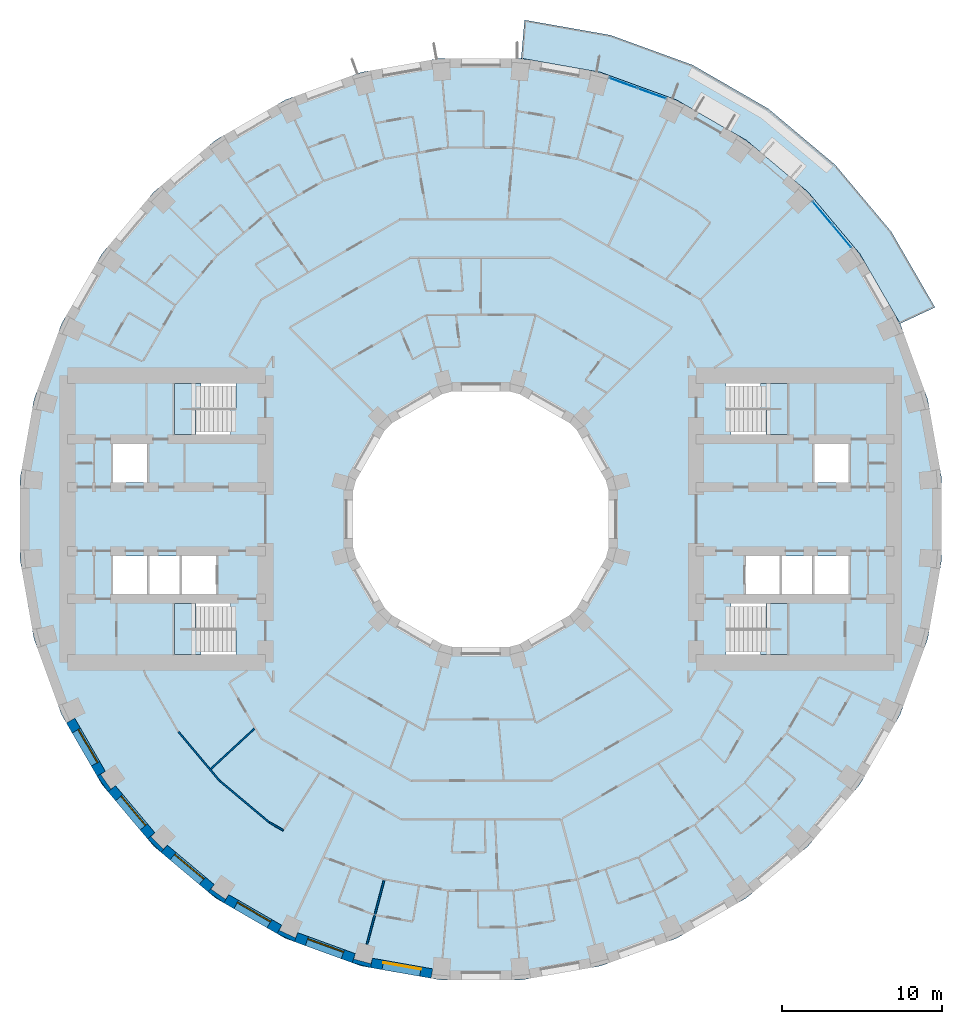
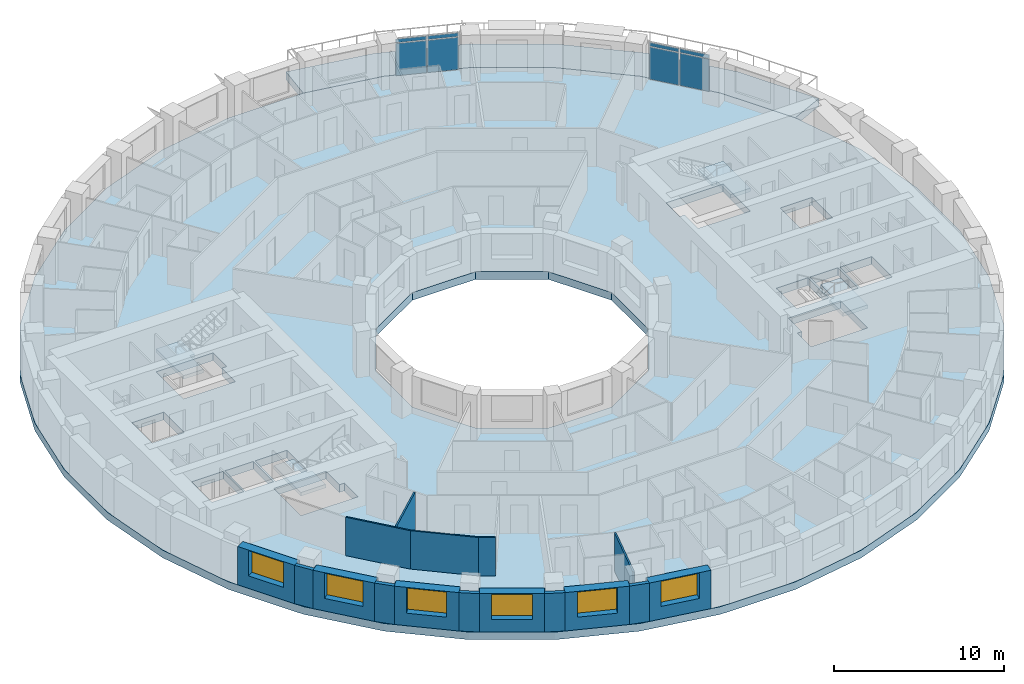
# One storey, part 3 of 15: 16 walls, 8 plates, 6 slabs, 6 windows, 6 openings, 6 elements without a shape of their own.
"""IFC4 building model written with IfcOpenShell, lengths in metres."""

from ifc_helpers import new_model, si_unit, direction, frame, frame_2d, origin, origin_2d, place, context, subcontext, project, spatial, polyline, rectangle, outline, extrude, material, layer, layer_set, type_object, element, fill, aggregate, save


model = new_model("IFC4")

# Units and contexts
model_context = context("Model", 3, precision=1e-05, world=origin(), true_north=direction((0.0, 1.0)))
body_context = subcontext(model_context, "Body", "Model", "MODEL_VIEW")
ifc_project = project(units=[si_unit("LENGTHUNIT", "METRE"), si_unit("AREAUNIT", "SQUARE_METRE"), si_unit("VOLUMEUNIT", "CUBIC_METRE"), si_unit("PLANEANGLEUNIT", "RADIAN"), si_unit("MASSUNIT", "GRAM", prefix="KILO")], contexts=[model_context])

# Site, building, storey
site_placement = place(None, origin())
site = spatial("IfcSite", under=ifc_project, at=site_placement, CompositionType="ELEMENT")
building_placement = place(site_placement, origin())
building = spatial("IfcBuilding", under=site, at=building_placement, Name="Saqina Gate Tower", CompositionType="ELEMENT")
storey_placement = place(building_placement, frame((0.0, 0.0, 72.5)))
storey = spatial("IfcBuildingStorey", under=building, at=storey_placement, Name="L20", CompositionType="ELEMENT", Elevation=72.5)

# Curtain wall, plates
ifc_material_1 = material(Name="Aluminium glazing", Category="aluminium")
ifc_layer_1 = layer(ifc_material_1, 0.159912109375)
ifc_layer_set_1 = layer_set([ifc_layer_1], Name="CWT-4")
curtain_wall_type = type_object("IfcCurtainWallType", Name="CWT-4", PredefinedType="NOTDEFINED", material=ifc_layer_set_1)
curtain_wall_1_placement = place(storey_placement, origin())
curtain_wall_1 = element("IfcCurtainWall", 1, at=curtain_wall_1_placement, inside=storey, type_object=curtain_wall_type, Name="Terrace lounge glazing facet 4", PredefinedType="NOTDEFINED")
ifc_material_2 = material(Name="Glass", Category="glass")
ifc_layer_2 = layer(ifc_material_2, 0.028076171875)
ifc_layer_set_2 = layer_set([ifc_layer_2], Name="CWT-4P")
plate_type = type_object("IfcPlateType", Name="CWT-4P", PredefinedType="CURTAIN_PANEL", material=ifc_layer_set_2)
plate_1_placement = place(storey_placement, frame((22.624267578125, 17.74853515625, 0.06005859375), z_axis=(0.0, 0.0, 1.0), x_axis=(-0.642791970033, 0.766040784332, 0.0)))
plate_1 = element("IfcPlate", 2, at=plate_1_placement, type_object=plate_type, Name="CW4-04 panel 1.1", PredefinedType="CURTAIN_PANEL", context=body_context, shape_type="SweptSolid", body=[
    extrude(rectangle(XDim=1.8330078125, YDim=0.028076171875, at=origin_2d()), origin(), (0.0, 0.0, 1.0), 2.31005859375),
])
plate_2_placement = place(storey_placement, frame((22.624267578125, 17.74853515625, 2.43017578125), z_axis=(0.0, 0.0, 1.0), x_axis=(-0.642791970033, 0.766040784332, 0.0)))
plate_2 = element("IfcPlate", 3, at=plate_2_placement, type_object=plate_type, Name="CW4-04 panel 1.2", PredefinedType="CURTAIN_PANEL", context=body_context, shape_type="SweptSolid", body=[
    extrude(rectangle(XDim=1.8330078125, YDim=0.028076171875, at=origin_2d()), origin(), (0.0, 0.0, 1.0), 0.260009765625),
])
plate_3_placement = place(storey_placement, frame((21.407470703125, 19.198486328125, 0.06005859375), z_axis=(0.0, 0.0, 1.0), x_axis=(-0.642791970033, 0.766040784332, 0.0)))
plate_3 = element("IfcPlate", 4, at=plate_3_placement, type_object=plate_type, Name="CW4-04 panel 2.1", PredefinedType="CURTAIN_PANEL", context=body_context, shape_type="SweptSolid", body=[
    extrude(rectangle(XDim=1.8330078125, YDim=0.028076171875, at=origin_2d()), origin(), (0.0, 0.0, 1.0), 2.31005859375),
])
plate_4_placement = place(storey_placement, frame((21.407470703125, 19.198486328125, 2.43017578125), z_axis=(0.0, 0.0, 1.0), x_axis=(-0.642791970033, 0.766040784332, 0.0)))
plate_4 = element("IfcPlate", 5, at=plate_4_placement, type_object=plate_type, Name="CW4-04 panel 2.2", PredefinedType="CURTAIN_PANEL", context=body_context, shape_type="SweptSolid", body=[
    extrude(rectangle(XDim=1.8330078125, YDim=0.028076171875, at=origin_2d()), origin(), (0.0, 0.0, 1.0), 0.260009765625),
])
aggregate(curtain_wall_1, [plate_1, plate_2, plate_3, plate_4])

curtain_wall_2_placement = place(storey_placement, origin())
curtain_wall_2 = element("IfcCurtainWall", 6, at=curtain_wall_2_placement, inside=storey, type_object=curtain_wall_type, Name="Terrace lounge glazing facet 7", PredefinedType="NOTDEFINED")
plate_5_placement = place(storey_placement, frame((10.718994140625, 26.682861328125, 0.06005859375), z_axis=(0.0, 0.0, 1.0), x_axis=(-0.939696968811, 0.34200819699, 0.0)))
plate_5 = element("IfcPlate", 7, at=plate_5_placement, type_object=plate_type, Name="CW4-07 panel 1.1", PredefinedType="CURTAIN_PANEL", context=body_context, shape_type="SweptSolid", body=[
    extrude(rectangle(XDim=1.8330078125, YDim=0.028076171875, at=origin_2d()), origin(), (0.0, 0.0, 1.0), 2.31005859375),
])
plate_6_placement = place(storey_placement, frame((10.718994140625, 26.682861328125, 2.43017578125), z_axis=(0.0, 0.0, 1.0), x_axis=(-0.939696968811, 0.34200819699, 0.0)))
plate_6 = element("IfcPlate", 8, at=plate_6_placement, type_object=plate_type, Name="CW4-07 panel 1.2", PredefinedType="CURTAIN_PANEL", context=body_context, shape_type="SweptSolid", body=[
    extrude(rectangle(XDim=1.8330078125, YDim=0.028076171875, at=origin_2d()), origin(), (0.0, 0.0, 1.0), 0.260009765625),
])
plate_7_placement = place(storey_placement, frame((8.940185546875, 27.330078125, 0.06005859375), z_axis=(0.0, 0.0, 1.0), x_axis=(-0.939696968811, 0.34200819699, 0.0)))
plate_7 = element("IfcPlate", 9, at=plate_7_placement, type_object=plate_type, Name="CW4-07 panel 2.1", PredefinedType="CURTAIN_PANEL", context=body_context, shape_type="SweptSolid", body=[
    extrude(rectangle(XDim=1.8330078125, YDim=0.028076171875, at=origin_2d()), origin(), (0.0, 0.0, 1.0), 2.31005859375),
])
plate_8_placement = place(storey_placement, frame((8.940185546875, 27.330078125, 2.43017578125), z_axis=(0.0, 0.0, 1.0), x_axis=(-0.939696968811, 0.34200819699, 0.0)))
plate_8 = element("IfcPlate", 10, at=plate_8_placement, type_object=plate_type, Name="CW4-07 panel 2.2", PredefinedType="CURTAIN_PANEL", context=body_context, shape_type="SweptSolid", body=[
    extrude(rectangle(XDim=1.8330078125, YDim=0.028076171875, at=origin_2d()), origin(), (0.0, 0.0, 1.0), 0.260009765625),
])
aggregate(curtain_wall_2, [plate_5, plate_6, plate_7, plate_8])

# Stair, slab
ifc_material_3 = material(Name="Concrete C40/50", Category="concrete")
stair_type = type_object("IfcStairType", Name="EXIT STAIR", PredefinedType="HALF_TURN_STAIR", material=ifc_material_3)
stair_1_placement = place(storey_placement, origin())
stair_1 = element("IfcStair", 11, at=stair_1_placement, inside=storey, type_object=stair_type, Name="EXIT STAIR 1", PredefinedType="HALF_TURN_STAIR")
ifc_material_4 = material(Name="Concrete C40/50", Category="concrete")
ifc_layer_3 = layer(ifc_material_4, 0.25)
ifc_layer_set_3 = layer_set([ifc_layer_3], Name="Concrete C40/50")
slab_type_1 = type_object("IfcSlabType", Name="EXIT STAIR LANDING", PredefinedType="LANDING", material=ifc_layer_set_3)
slab_1_placement = place(storey_placement, frame((0.0, 0.0, 1.39990234375)))
slab_1 = element("IfcSlab", 12, at=slab_1_placement, type_object=slab_type_1, Name="EXIT STAIR 1 LANDING 1", PredefinedType="LANDING", context=body_context, shape_type="SweptSolid", body=[
    extrude(outline(polyline([(19.219970703125, 8.5), (19.219970703125, 5.300048828125), (17.864990234375, 5.300048828125), (17.864990234375, 6.89990234375), (17.534423828125, 6.89990234375), (17.534423828125, 8.5), (17.864990234375, 8.5), (17.8701171875, 8.5), (19.219970703125, 8.5)])), origin(), (0.0, 0.0, 1.0), 0.25),
])
aggregate(stair_1, [slab_1])

stair_2_placement = place(storey_placement, origin())
stair_2 = element("IfcStair", 13, at=stair_2_placement, inside=storey, type_object=stair_type, Name="EXIT STAIR 2", PredefinedType="HALF_TURN_STAIR")
slab_2_placement = place(storey_placement, frame((0.0, 0.0, 1.39990234375)))
slab_2 = element("IfcSlab", 14, at=slab_2_placement, type_object=slab_type_1, Name="EXIT STAIR 2 LANDING 1", PredefinedType="LANDING", context=body_context, shape_type="SweptSolid", body=[
    extrude(outline(polyline([(17.534423828125, -8.5), (17.534423828125, -6.89990234375), (17.864990234375, -6.89990234375), (17.864990234375, -5.300048828125), (19.219970703125, -5.300048828125), (19.219970703125, -8.5), (17.8701171875, -8.5), (17.864990234375, -8.5), (17.534423828125, -8.5)])), origin(), (0.0, 0.0, 1.0), 0.25),
])
aggregate(stair_2, [slab_2])

stair_3_placement = place(storey_placement, origin())
stair_3 = element("IfcStair", 15, at=stair_3_placement, inside=storey, type_object=stair_type, Name="EXIT STAIR 3", PredefinedType="HALF_TURN_STAIR")
slab_3_placement = place(storey_placement, frame((0.0, 0.0, 1.39990234375)))
slab_3 = element("IfcSlab", 16, at=slab_3_placement, type_object=slab_type_1, Name="EXIT STAIR 3 LANDING 1", PredefinedType="LANDING", context=body_context, shape_type="SweptSolid", body=[
    extrude(outline(polyline([(-17.864990234375, 5.300048828125), (-19.219970703125, 5.300048828125), (-19.219970703125, 8.5), (-17.8701171875, 8.5), (-17.864990234375, 8.5), (-17.534423828125, 8.5), (-17.534423828125, 6.89990234375), (-17.864990234375, 6.89990234375), (-17.864990234375, 5.300048828125)])), origin(), (0.0, 0.0, 1.0), 0.25),
])
aggregate(stair_3, [slab_3])

stair_4_placement = place(storey_placement, origin())
stair_4 = element("IfcStair", 17, at=stair_4_placement, inside=storey, type_object=stair_type, Name="EXIT STAIR 4", PredefinedType="HALF_TURN_STAIR")
slab_4_placement = place(storey_placement, frame((0.0, 0.0, 1.39990234375)))
slab_4 = element("IfcSlab", 18, at=slab_4_placement, type_object=slab_type_1, Name="EXIT STAIR 4 LANDING 1", PredefinedType="LANDING", context=body_context, shape_type="SweptSolid", body=[
    extrude(outline(polyline([(-17.534423828125, -6.89990234375), (-17.534423828125, -8.5), (-17.864990234375, -8.5), (-17.8701171875, -8.5), (-19.219970703125, -8.5), (-19.219970703125, -5.300048828125), (-17.864990234375, -5.300048828125), (-17.864990234375, -6.89990234375), (-17.534423828125, -6.89990234375)])), origin(), (0.0, 0.0, 1.0), 0.25),
])
aggregate(stair_4, [slab_4])

# Slabs
ifc_material_5 = material(Name="Concrete C40/50", Category="concrete")
ifc_layer_4 = layer(ifc_material_5, 0.550048828125)
ifc_layer_set_4 = layer_set([ifc_layer_4], Name="Concrete C40/50")
slab_type_2 = type_object("IfcSlabType", Name="STR-POST-TENSIONED FLAT PLATE FLOOR-550", PredefinedType="FLOOR", material=ifc_layer_set_4)
slab_5_placement = place(storey_placement, frame((0.0, 0.0, -0.550048828125)))
element("IfcSlab", 19, at=slab_5_placement, inside=storey, type_object=slab_type_2, Name="L20-SLB01", PredefinedType="FLOOR", context=body_context, shape_type="SweptSolid", body=[
    extrude(outline(polyline([(28.011962890625, -7.505859375), (28.8896484375, -2.527587890625), (28.8896484375, 2.527587890625), (28.011962890625, 7.505859375), (26.282958984375, 12.255859375), (23.75537109375, 16.6337890625), (20.506103515625, 20.506103515625), (16.6337890625, 23.75537109375), (12.255859375, 26.282958984375), (7.505859375, 28.011962890625), (2.527587890625, 28.8896484375), (-2.527587890625, 28.8896484375), (-7.505859375, 28.011962890625), (-12.255859375, 26.282958984375), (-16.6337890625, 23.75537109375), (-20.506103515625, 20.506103515625), (-23.75537109375, 16.6337890625), (-26.282958984375, 12.255859375), (-28.011962890625, 7.505859375), (-28.8896484375, 2.527587890625), (-28.8896484375, -2.527587890625), (-28.011962890625, -7.505859375), (-26.282958984375, -12.255859375), (-23.75537109375, -16.6337890625), (-20.506103515625, -20.506103515625), (-16.6337890625, -23.75537109375), (-12.255859375, -26.282958984375), (-7.505859375, -28.011962890625), (-2.527587890625, -28.8896484375), (2.527587890625, -28.8896484375), (7.505859375, -28.011962890625), (12.255859375, -26.282958984375), (16.6337890625, -23.75537109375), (20.506103515625, -20.506103515625), (23.75537109375, -16.6337890625), (26.282958984375, -12.255859375), (28.011962890625, -7.505859375)]), holes=[polyline([(2.1435546875, 8.0), (5.8564453125, 5.8564453125), (8.0, 2.1435546875), (8.0, -2.1435546875), (5.8564453125, -5.8564453125), (2.1435546875, -8.0), (-2.1435546875, -8.0), (-5.8564453125, -5.8564453125), (-8.0, -2.1435546875), (-8.0, 2.1435546875), (-5.8564453125, 5.8564453125), (-2.1435546875, 8.0), (2.1435546875, 8.0)]), polyline([(-19.219970703125, -8.5), (-19.219970703125, -6.89990234375), (-19.219970703125, -5.300048828125), (-15.685546875, -5.300048828125), (-15.685546875, -6.89990234375), (-15.35498046875, -6.89990234375), (-15.35498046875, -8.5), (-19.219970703125, -8.5)]), polyline([(-20.89990234375, -2.300048828125), (-20.89990234375, -4.699951171875), (-23.06005859375, -4.699951171875), (-23.06005859375, -2.300048828125), (-20.89990234375, -2.300048828125)]), polyline([(-18.8701171875, -2.300048828125), (-18.8701171875, -4.699951171875), (-20.780029296875, -4.699951171875), (-20.780029296875, -2.300048828125), (-18.8701171875, -2.300048828125)]), polyline([(-16.590087890625, -2.300048828125), (-16.590087890625, -4.699951171875), (-18.75, -4.699951171875), (-18.75, -2.300048828125), (-16.590087890625, -2.300048828125)]), polyline([(-20.89990234375, 4.699951171875), (-20.89990234375, 2.300048828125), (-23.06005859375, 2.300048828125), (-23.06005859375, 4.699951171875), (-20.89990234375, 4.699951171875)]), polyline([(-19.219970703125, 6.89990234375), (-19.219970703125, 8.5), (-15.35498046875, 8.5), (-15.35498046875, 6.89990234375), (-15.685546875, 6.89990234375), (-15.685546875, 5.300048828125), (-19.219970703125, 5.300048828125), (-19.219970703125, 6.89990234375)]), polyline([(15.35498046875, -6.89990234375), (15.685546875, -6.89990234375), (15.685546875, -5.300048828125), (19.219970703125, -5.300048828125), (19.219970703125, -6.89990234375), (19.219970703125, -8.5), (15.35498046875, -8.5), (15.35498046875, -6.89990234375)]), polyline([(18.75, -2.300048828125), (18.75, -4.699951171875), (16.590087890625, -4.699951171875), (16.590087890625, -2.300048828125), (18.75, -2.300048828125)]), polyline([(20.780029296875, -2.300048828125), (20.780029296875, -4.699951171875), (18.8701171875, -4.699951171875), (18.8701171875, -2.300048828125), (20.780029296875, -2.300048828125)]), polyline([(23.06005859375, -2.300048828125), (23.06005859375, -4.699951171875), (20.89990234375, -4.699951171875), (20.89990234375, -2.300048828125), (23.06005859375, -2.300048828125)]), polyline([(23.06005859375, 4.699951171875), (23.06005859375, 2.300048828125), (20.89990234375, 2.300048828125), (20.89990234375, 4.699951171875), (23.06005859375, 4.699951171875)]), polyline([(15.685546875, 6.89990234375), (15.35498046875, 6.89990234375), (15.35498046875, 8.5), (19.219970703125, 8.5), (19.219970703125, 6.89990234375), (19.219970703125, 5.300048828125), (15.685546875, 5.300048828125), (15.685546875, 6.89990234375)])]), origin(), (0.0, 0.0, 1.0), 0.550048828125),
])
ifc_material_6 = material(Name="Concrete C40/50", Category="concrete")
ifc_layer_5 = layer(ifc_material_6, 0.550048828125)
ifc_layer_set_5 = layer_set([ifc_layer_5], Name="Concrete C40/50")
slab_type_3 = type_object("IfcSlabType", Name="STR-POST-TENSIONED FLAT PLATE TERRACE-550", PredefinedType="FLOOR", material=ifc_layer_set_5)
slab_6_placement = place(storey_placement, frame((0.0, 0.0, -0.550048828125)))
element("IfcSlab", 20, at=slab_6_placement, inside=storey, type_object=slab_type_3, Name="L20-TRS01", PredefinedType="FLOOR", context=body_context, shape_type="SweptSolid", body=[
    extrude(outline(polyline([(26.282958984375, 12.255859375), (23.75537109375, 16.6337890625), (20.506103515625, 20.506103515625), (16.6337890625, 23.75537109375), (12.255859375, 26.282958984375), (7.505859375, 28.011962890625), (2.527587890625, 28.8896484375), (2.737548828125, 31.28955078125), (8.12939453125, 30.3388671875), (13.274169921875, 28.46630859375), (18.015625, 25.72900390625), (22.209716796875, 22.209716796875), (25.72900390625, 18.015625), (28.46630859375, 13.274169921875), (26.282958984375, 12.255859375)])), origin(), (0.0, 0.0, 1.0), 0.550048828125),
])

# Walls
ifc_material_7 = material(Name="Brick masonry (red)", Category="masonry")
wall_type_1 = type_object("IfcWallType", Name="BRICK PIER COPING RED", PredefinedType="SOLIDWALL", material=ifc_material_7)
wall_1_placement = place(storey_placement, origin())
element("IfcWall", 21, at=wall_1_placement, inside=storey, type_object=wall_type_1, Name="Pier cap L20 column 22", PredefinedType="SOLIDWALL", context=body_context, shape_type="SweptSolid", body=[
    extrude(outline(polyline([(-24.0576171875, -16.110107421875), (-23.36669921875, -17.096923828125), (-22.9072265625, -16.711181640625), (-23.194091796875, -16.912109375), (-23.8251953125, -16.010986328125), (-23.5380859375, -15.81005859375), (-24.0576171875, -16.110107421875)])), origin(), (0.0, 0.0, 1.0), 2.75),
])
wall_2_placement = place(storey_placement, origin())
element("IfcWall", 22, at=wall_2_placement, inside=storey, type_object=wall_type_1, Name="Pier cap L20 column 23", PredefinedType="SOLIDWALL", context=body_context, shape_type="SweptSolid", body=[
    extrude(outline(polyline([(-20.04296875, -20.894775390625), (-19.6572265625, -20.43505859375), (-19.905029296875, -20.682861328125), (-20.682861328125, -19.905029296875), (-20.43505859375, -19.6572265625), (-20.894775390625, -20.04296875), (-20.04296875, -20.894775390625)])), origin(), (0.0, 0.0, 1.0), 2.75),
])
wall_3_placement = place(storey_placement, origin())
element("IfcWall", 23, at=wall_3_placement, inside=storey, type_object=wall_type_1, Name="Pier cap L20 column 24", PredefinedType="SOLIDWALL", context=body_context, shape_type="SweptSolid", body=[
    extrude(outline(polyline([(-17.096923828125, -23.36669921875), (-16.110107421875, -24.0576171875), (-15.81005859375, -23.5380859375), (-16.010986328125, -23.8251953125), (-16.912109375, -23.194091796875), (-16.711181640625, -22.9072265625), (-17.096923828125, -23.36669921875)])), origin(), (0.0, 0.0, 1.0), 2.75),
])
wall_4_placement = place(storey_placement, origin())
element("IfcWall", 24, at=wall_4_placement, inside=storey, type_object=wall_type_1, Name="Pier cap L20 column 25", PredefinedType="SOLIDWALL", context=body_context, shape_type="SweptSolid", body=[
    extrude(outline(polyline([(-11.687744140625, -26.48974609375), (-11.482666015625, -25.92578125), (-11.630615234375, -26.243408203125), (-12.627685546875, -25.778564453125), (-12.4794921875, -25.4609375), (-12.779541015625, -25.980712890625), (-11.687744140625, -26.48974609375)])), origin(), (0.0, 0.0, 1.0), 2.75),
])
wall_5_placement = place(storey_placement, origin())
element("IfcWall", 25, at=wall_5_placement, inside=storey, type_object=wall_type_1, Name="Pier cap L20 column 26", PredefinedType="SOLIDWALL", context=body_context, shape_type="SweptSolid", body=[
    extrude(outline(polyline([(-6.910400390625, -28.11669921875), (-6.80615234375, -27.52587890625), (-6.896728515625, -27.864501953125), (-7.95947265625, -27.57958984375), (-7.86865234375, -27.2412109375), (-8.073974609375, -27.80517578125), (-6.910400390625, -28.11669921875)])), origin(), (0.0, 0.0, 1.0), 2.75),
])

# Wall, opening, window
ifc_material_8 = material(Name="Brick masonry (red)", Category="masonry")
ifc_layer_6 = layer(ifc_material_8, 0.60009765625)
ifc_layer_set_6 = layer_set([ifc_layer_6], Name="FW-BRICK-RED")
wall_type_2 = type_object("IfcWallType", Name="FW-BRICK-RED", PredefinedType="SOLIDWALL", material=ifc_layer_set_6)
wall_6_placement = place(storey_placement, frame((-25.720703125, -12.629638671875, 0.0), z_axis=(0.0, 0.0, 1.0), x_axis=(0.499989888488, -0.86603124159, 0.0)))
wall_6 = element("IfcWall", 26, at=wall_6_placement, inside=storey, type_object=wall_type_2, Name="Facade wall L20 facet 21", PredefinedType="SOLIDWALL", context=body_context, shape_type="SweptSolid", body=[
    extrude(rectangle(XDim=3.845703125, YDim=0.60009765625, at=frame_2d((1.9228515625, 0.0))), origin(), (0.0, 0.0, 1.0), 2.75),
])
opening_1_placement = place(wall_6_placement, frame((0.722900390625, 0.0, 0.89990234375)))
opening_1 = element("IfcOpeningElement", 27, at=opening_1_placement, cuts=wall_6, Name="Opening G05-W10", PredefinedType="OPENING", context=body_context, shape_type="SweptSolid", body=[
    extrude(rectangle(XDim=2.39990234375, YDim=1.800048828125, at=frame_2d((1.199951171875, 0.89990234375))), frame((0.0, 0.31201171875, 0.0), z_axis=(0.0, -1.0, 0.0), x_axis=(1.0, 0.0, 0.0)), (0.0, 0.0, 1.0), 0.6240234375),
])
ifc_material_9 = material(Name="Aluminium glazing", Category="aluminium")
window_type = type_object("IfcWindowType", Name="WN-A", PartitioningType="SINGLE_PANEL", PredefinedType="WINDOW", material=ifc_material_9)
window_1_placement = place(opening_1_placement, origin())
window_1 = element("IfcWindow", 28, at=window_1_placement, inside=storey, type_object=window_type, Name="Window L20 facet 21", OverallHeight=1.800048828125, OverallWidth=2.39990234375, PartitioningType="SINGLE_PANEL", PredefinedType="WINDOW", context=body_context, shape_type="SweptSolid", body=[
    extrude(rectangle(XDim=2.39990234375, YDim=1.800048828125, at=frame_2d((1.199951171875, 0.89990234375))), frame((0.0, 0.179931640625, 0.0), z_axis=(0.0, -1.0, 0.0), x_axis=(1.0, 0.0, 0.0)), (0.0, 0.0, 1.0), 0.06005859375),
])
fill(opening_1, window_1)

wall_7_placement = place(storey_placement, frame((-23.136962890625, -16.904052734375, 0.0), z_axis=(0.0, 0.0, 1.0), x_axis=(0.642809392687, -0.766026164483, 0.0)))
wall_7 = element("IfcWall", 29, at=wall_7_placement, inside=storey, type_object=wall_type_2, Name="Facade wall L20 facet 22", PredefinedType="SOLIDWALL", context=body_context, shape_type="SweptSolid", body=[
    extrude(rectangle(XDim=3.845947265625, YDim=0.60009765625, at=frame_2d((1.9228515625, 0.0))), origin(), (0.0, 0.0, 1.0), 2.75),
])
opening_2_placement = place(wall_7_placement, frame((0.722900390625, 0.0, 0.89990234375)))
opening_2 = element("IfcOpeningElement", 30, at=opening_2_placement, cuts=wall_7, Name="Opening G05-W11", PredefinedType="OPENING", context=body_context, shape_type="SweptSolid", body=[
    extrude(rectangle(XDim=2.39990234375, YDim=1.800048828125, at=frame_2d((1.199951171875, 0.89990234375))), frame((0.0, 0.31201171875, 0.0), z_axis=(0.0, -1.0, 0.0), x_axis=(1.0, 0.0, 0.0)), (0.0, 0.0, 1.0), 0.6240234375),
])
window_2_placement = place(opening_2_placement, origin())
window_2 = element("IfcWindow", 31, at=window_2_placement, inside=storey, type_object=window_type, Name="Window L20 facet 22", OverallHeight=1.800048828125, OverallWidth=2.39990234375, PartitioningType="SINGLE_PANEL", PredefinedType="WINDOW", context=body_context, shape_type="SweptSolid", body=[
    extrude(rectangle(XDim=2.39990234375, YDim=1.800048828125, at=frame_2d((1.199951171875, 0.89990234375))), frame((0.0, 0.179931640625, 0.0), z_axis=(0.0, -1.0, 0.0), x_axis=(1.0, 0.0, 0.0)), (0.0, 0.0, 1.0), 0.06005859375),
])
fill(opening_2, window_2)

wall_8_placement = place(storey_placement, frame((-19.85009765625, -20.664794921875, 0.0), z_axis=(0.0, 0.0, 1.0), x_axis=(0.766026164483, -0.642809392687, 0.0)))
wall_8 = element("IfcWall", 32, at=wall_8_placement, inside=storey, type_object=wall_type_2, Name="Facade wall L20 facet 23", PredefinedType="SOLIDWALL", context=body_context, shape_type="SweptSolid", body=[
    extrude(rectangle(XDim=3.845947265625, YDim=0.60009765625, at=frame_2d((1.9228515625, 0.0))), origin(), (0.0, 0.0, 1.0), 2.75),
])
opening_3_placement = place(wall_8_placement, frame((0.722900390625, 0.0, 0.89990234375)))
opening_3 = element("IfcOpeningElement", 33, at=opening_3_placement, cuts=wall_8, Name="Opening G05-W12", PredefinedType="OPENING", context=body_context, shape_type="SweptSolid", body=[
    extrude(rectangle(XDim=2.39990234375, YDim=1.800048828125, at=frame_2d((1.199951171875, 0.89990234375))), frame((0.0, 0.31201171875, 0.0), z_axis=(0.0, -1.0, 0.0), x_axis=(1.0, 0.0, 0.0)), (0.0, 0.0, 1.0), 0.6240234375),
])
window_3_placement = place(opening_3_placement, origin())
window_3 = element("IfcWindow", 34, at=window_3_placement, inside=storey, type_object=window_type, Name="Window L20 facet 23", OverallHeight=1.800048828125, OverallWidth=2.39990234375, PartitioningType="SINGLE_PANEL", PredefinedType="WINDOW", context=body_context, shape_type="SweptSolid", body=[
    extrude(rectangle(XDim=2.39990234375, YDim=1.800048828125, at=frame_2d((1.199951171875, 0.89990234375))), frame((0.0, 0.179931640625, 0.0), z_axis=(0.0, -1.0, 0.0), x_axis=(1.0, 0.0, 0.0)), (0.0, 0.0, 1.0), 0.06005859375),
])
fill(opening_3, window_3)

wall_9_placement = place(storey_placement, frame((-15.960205078125, -23.7978515625, 0.0), z_axis=(0.0, 0.0, 1.0), x_axis=(0.86603124159, -0.499989888488, 0.0)))
wall_9 = element("IfcWall", 35, at=wall_9_placement, inside=storey, type_object=wall_type_2, Name="Facade wall L20 facet 24", PredefinedType="SOLIDWALL", context=body_context, shape_type="SweptSolid", body=[
    extrude(rectangle(XDim=3.845703125, YDim=0.60009765625, at=frame_2d((1.9228515625, 0.0))), origin(), (0.0, 0.0, 1.0), 2.75),
])
opening_4_placement = place(wall_9_placement, frame((0.722900390625, 0.0, 0.89990234375)))
opening_4 = element("IfcOpeningElement", 36, at=opening_4_placement, cuts=wall_9, Name="Opening G05-W13", PredefinedType="OPENING", context=body_context, shape_type="SweptSolid", body=[
    extrude(rectangle(XDim=2.39990234375, YDim=1.800048828125, at=frame_2d((1.199951171875, 0.89990234375))), frame((0.0, 0.31201171875, 0.0), z_axis=(0.0, -1.0, 0.0), x_axis=(1.0, 0.0, 0.0)), (0.0, 0.0, 1.0), 0.6240234375),
])
window_4_placement = place(opening_4_placement, origin())
window_4 = element("IfcWindow", 37, at=window_4_placement, inside=storey, type_object=window_type, Name="Window L20 facet 24", OverallHeight=1.800048828125, OverallWidth=2.39990234375, PartitioningType="SINGLE_PANEL", PredefinedType="WINDOW", context=body_context, shape_type="SweptSolid", body=[
    extrude(rectangle(XDim=2.39990234375, YDim=1.800048828125, at=frame_2d((1.199951171875, 0.89990234375))), frame((0.0, 0.179931640625, 0.0), z_axis=(0.0, -1.0, 0.0), x_axis=(1.0, 0.0, 0.0)), (0.0, 0.0, 1.0), 0.06005859375),
])
fill(opening_4, window_4)

wall_10_placement = place(storey_placement, frame((-11.585205078125, -26.207763671875, 0.0), z_axis=(0.0, 0.0, 1.0), x_axis=(0.939689588564, -0.342028474173, 0.0)))
wall_10 = element("IfcWall", 38, at=wall_10_placement, inside=storey, type_object=wall_type_2, Name="Facade wall L20 facet 25", PredefinedType="SOLIDWALL", context=body_context, shape_type="SweptSolid", body=[
    extrude(rectangle(XDim=3.845947265625, YDim=0.60009765625, at=frame_2d((1.9228515625, 0.0))), origin(), (0.0, 0.0, 1.0), 2.75),
])
opening_5_placement = place(wall_10_placement, frame((0.722900390625, 0.0, 0.89990234375)))
opening_5 = element("IfcOpeningElement", 39, at=opening_5_placement, cuts=wall_10, Name="Opening G05-W14", PredefinedType="OPENING", context=body_context, shape_type="SweptSolid", body=[
    extrude(rectangle(XDim=2.39990234375, YDim=1.800048828125, at=frame_2d((1.199951171875, 0.89990234375))), frame((0.0, 0.31201171875, 0.0), z_axis=(0.0, -1.0, 0.0), x_axis=(1.0, 0.0, 0.0)), (0.0, 0.0, 1.0), 0.6240234375),
])
window_5_placement = place(opening_5_placement, origin())
window_5 = element("IfcWindow", 40, at=window_5_placement, inside=storey, type_object=window_type, Name="Window L20 facet 25", OverallHeight=1.800048828125, OverallWidth=2.39990234375, PartitioningType="SINGLE_PANEL", PredefinedType="WINDOW", context=body_context, shape_type="SweptSolid", body=[
    extrude(rectangle(XDim=2.39990234375, YDim=1.800048828125, at=frame_2d((1.199951171875, 0.89990234375))), frame((0.0, 0.179931640625, 0.0), z_axis=(0.0, -1.0, 0.0), x_axis=(1.0, 0.0, 0.0)), (0.0, 0.0, 1.0), 0.06005859375),
])
fill(opening_5, window_5)

wall_11_placement = place(storey_placement, frame((-6.858154296875, -27.8212890625, 0.0), z_axis=(0.0, 0.0, 1.0), x_axis=(0.984800809218, -0.173687553279, 0.0)))
wall_11 = element("IfcWall", 41, at=wall_11_placement, inside=storey, type_object=wall_type_2, Name="Facade wall L20 facet 26", PredefinedType="SOLIDWALL", context=body_context, shape_type="SweptSolid", body=[
    extrude(rectangle(XDim=3.845703125, YDim=0.60009765625, at=frame_2d((1.9228515625, 0.0))), origin(), (0.0, 0.0, 1.0), 2.75),
])
opening_6_placement = place(wall_11_placement, frame((0.722900390625, 0.0, 0.89990234375)))
opening_6 = element("IfcOpeningElement", 42, at=opening_6_placement, cuts=wall_11, Name="Opening G05-W15", PredefinedType="OPENING", context=body_context, shape_type="SweptSolid", body=[
    extrude(rectangle(XDim=2.39990234375, YDim=1.800048828125, at=frame_2d((1.199951171875, 0.89990234375))), frame((0.0, 0.31201171875, 0.0), z_axis=(0.0, -1.0, 0.0), x_axis=(1.0, 0.0, 0.0)), (0.0, 0.0, 1.0), 0.6240234375),
])
window_6_placement = place(opening_6_placement, origin())
window_6 = element("IfcWindow", 43, at=window_6_placement, inside=storey, type_object=window_type, Name="Window L20 facet 26", OverallHeight=1.800048828125, OverallWidth=2.39990234375, PartitioningType="SINGLE_PANEL", PredefinedType="WINDOW", context=body_context, shape_type="SweptSolid", body=[
    extrude(rectangle(XDim=2.39990234375, YDim=1.800048828125, at=frame_2d((1.199951171875, 0.89990234375))), frame((0.0, 0.179931640625, 0.0), z_axis=(0.0, -1.0, 0.0), x_axis=(1.0, 0.0, 0.0)), (0.0, 0.0, 1.0), 0.06005859375),
])
fill(opening_6, window_6)

# Walls
ifc_material_10 = material(Name="Gypsum board on steel studs, 100 mm", Category="steel")
ifc_layer_7 = layer(ifc_material_10, 0.10009765625)
ifc_layer_set_7 = layer_set([ifc_layer_7], Name="PARTITION 100")
wall_type_3 = type_object("IfcWallType", Name="PARTITION 100", PredefinedType="PARTITIONING", material=ifc_layer_set_7)
wall_12_placement = place(storey_placement, frame((-18.953857421875, -13.332275390625, 0.0), z_axis=(0.0, 0.0, 1.0), x_axis=(0.642759837919, -0.766067745541, 0.0)))
element("IfcWall", 44, at=wall_12_placement, inside=storey, type_object=wall_type_3, Name="PARTITION PW3-29", PredefinedType="PARTITIONING", context=body_context, shape_type="SweptSolid", body=[
    extrude(rectangle(XDim=4.041015625, YDim=0.10009765625, at=frame_2d((2.0205078125, 0.0))), origin(), (0.0, 0.0, 1.0), 2.75),
])
wall_13_placement = place(storey_placement, frame((-16.3505859375, -16.421142578125, 0.0), z_axis=(0.0, 0.0, 1.0), x_axis=(0.766042783762, -0.642789587226, 0.0)))
element("IfcWall", 45, at=wall_13_placement, inside=storey, type_object=wall_type_3, Name="PARTITION PW3-36", PredefinedType="PARTITIONING", context=body_context, shape_type="SweptSolid", body=[
    extrude(rectangle(XDim=4.040771484375, YDim=0.10009765625, at=frame_2d((2.0205078125, 0.0))), origin(), (0.0, 0.0, 1.0), 2.75),
])
wall_14_placement = place(storey_placement, frame((-13.250732421875, -19.010986328125, 0.0), z_axis=(0.0, 0.0, 1.0), x_axis=(0.866063163075, -0.499934593286, 0.0)))
element("IfcWall", 46, at=wall_14_placement, inside=storey, type_object=wall_type_3, Name="PARTITION PW3-43", PredefinedType="PARTITIONING", context=body_context, shape_type="SweptSolid", body=[
    extrude(rectangle(XDim=0.996337890625, YDim=0.10009765625, at=frame_2d((0.498046875, 0.0))), origin(), (0.0, 0.0, 1.0), 2.75),
])
wall_15_placement = place(storey_placement, frame((-16.930419921875, -15.666015625, 0.0), z_axis=(0.0, 0.0, 1.0), x_axis=(0.733966319228, 0.679185867226, 0.0)))
element("IfcWall", 47, at=wall_15_placement, inside=storey, type_object=wall_type_3, Name="PARTITION PW3-87", PredefinedType="PARTITIONING", context=body_context, shape_type="SweptSolid", body=[
    extrude(rectangle(XDim=3.725830078125, YDim=0.10009765625, at=frame_2d((1.86279296875, 0.0))), origin(), (0.0, 0.0, 1.0), 2.75),
])
wall_16_placement = place(storey_placement, frame((-7.14013671875, -26.650146484375, 0.0), z_axis=(0.0, 0.0, 1.0), x_axis=(0.258611937806, 0.965981296726, 0.0)))
element("IfcWall", 48, at=wall_16_placement, inside=storey, type_object=wall_type_3, Name="PARTITION PW3-104", PredefinedType="PARTITIONING", context=body_context, shape_type="SweptSolid", body=[
    extrude(rectangle(XDim=4.161376953125, YDim=0.10009765625, at=frame_2d((2.08056640625, 0.0))), origin(), (0.0, 0.0, 1.0), 2.75),
])

save(model, "model.ifc")
